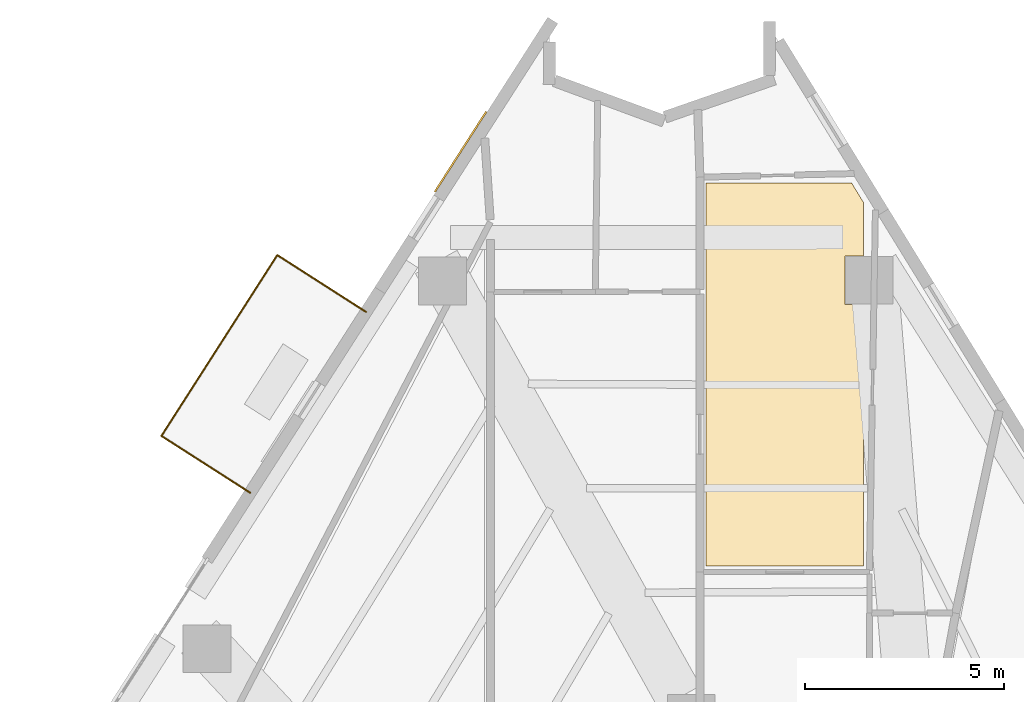
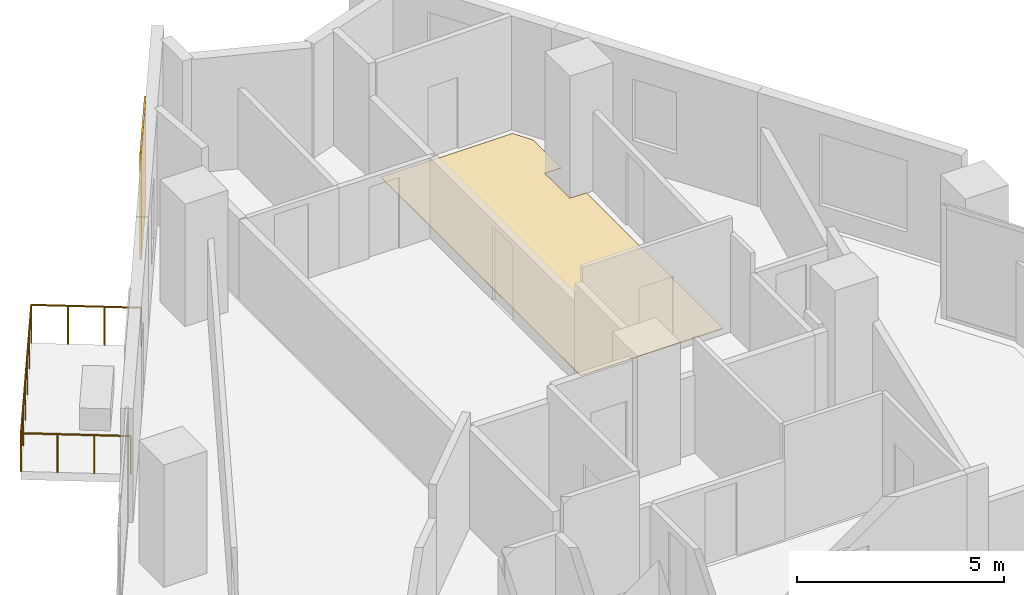
# One storey, part 13 of 13: 2 coverings, 1 railing.
"""IFC4 building model written with IfcOpenShell, lengths in metres."""

from ifc_helpers import new_model, si_unit, direction, frame, origin, origin_2d, place, context, subcontext, project, spatial, polyline, rectangle, circle, outline, extrude, material, layer, layer_set, type_object, element, save


model = new_model("IFC4")

# Units and contexts
model_context = context("Model", 3, precision=1e-05, world=origin(), true_north=direction((0.0, 1.0)))
body_context = subcontext(model_context, "Body", "Model", "MODEL_VIEW")
ifc_project = project(units=[si_unit("LENGTHUNIT", "METRE"), si_unit("AREAUNIT", "SQUARE_METRE"), si_unit("VOLUMEUNIT", "CUBIC_METRE"), si_unit("PLANEANGLEUNIT", "RADIAN"), si_unit("MASSUNIT", "GRAM", prefix="KILO")], contexts=[model_context])

# Site, building, storey
site_placement = place(None, origin())
site = spatial("IfcSite", under=ifc_project, at=site_placement, CompositionType="ELEMENT")
building_placement = place(site_placement, origin())
building = spatial("IfcBuilding", under=site, at=building_placement, Name="Almagre Mirador Tower", CompositionType="ELEMENT")
storey_placement = place(building_placement, frame((0.0, 0.0, 75.0)))
storey = spatial("IfcBuildingStorey", under=building, at=storey_placement, Name="L18", CompositionType="ELEMENT", Elevation=75.0)

# Coverings
ifc_material_1 = material(Name="Almagre terracotta architectural cladding", Category="masonry")
ifc_layer_1 = layer(ifc_material_1, 0.044921875)
ifc_layer_set_1 = layer_set([ifc_layer_1], Name="Almagre terracotta architectural cladding")
covering_type_1 = type_object("IfcCoveringType", Name="COV-CLAD-ALMAGRE", PredefinedType="CLADDING", material=ifc_layer_set_1)
covering_1_placement = place(storey_placement, frame((31.552001953125, 40.440673828125, 0.10009765625), z_axis=(0.0, 0.0, 1.0), x_axis=(0.539461671362, 0.84201015738, 0.0)))
element("IfcCovering", 1, at=covering_1_placement, inside=storey, type_object=covering_type_1, Name="L18 almagre terracotta pier cladding", PredefinedType="CLADDING", context=body_context, shape_type="SweptSolid", body=[
    extrude(rectangle(XDim=2.39990234375, YDim=0.044921875, at=origin_2d()), origin(), (0.0, 0.0, 1.0), 3.14990234375),
])
ifc_material_2 = material(Name="Engineered white oak flooring", Category="wood")
ifc_layer_2 = layer(ifc_material_2, 0.01806640625)
ifc_layer_set_2 = layer_set([ifc_layer_2], Name="Engineered white oak flooring")
covering_type_2 = type_object("IfcCoveringType", Name="COV-FLR-OAK-18", PredefinedType="FLOORING", material=ifc_layer_set_2)
covering_2_placement = place(storey_placement, origin())
element("IfcCovering", 2, at=covering_2_placement, inside=storey, type_object=covering_type_2, Name="L18 Unit L18-H Family Living Salon finish flooring", PredefinedType="FLOORING", context=body_context, shape_type="SweptSolid", body=[
    extrude(outline(polyline([(41.679931640625, 37.81298828125), (41.220947265625, 37.81298828125), (41.220947265625, 36.60302734375), (41.679931640625, 36.60302734375), (41.679931640625, 30.02001953125), (37.719970703125, 30.02001953125), (37.719970703125, 39.64990234375), (41.385986328125, 39.64990234375), (41.679931640625, 39.16796875), (41.679931640625, 37.81298828125)])), origin(), (0.0, 0.0, 1.0), 0.01806640625),
])

# Railing
ifc_material_3 = material(Name="Black anodized aluminium", Category="aluminium")
railing_type = type_object("IfcRailingType", Name="RLG-BAL-1150", PredefinedType="BALUSTRADE", material=ifc_material_3)
railing_placement = place(storey_placement, frame((29.177001953125, 36.4130859375, 0.0)))
element("IfcRailing", 3, at=railing_placement, inside=storey, type_object=railing_type, Name="L18 west balcony balustrade 2", PredefinedType="BALUSTRADE", context=body_context, shape_type="SweptSolid", body=[
    extrude(circle(Radius=0.02392578125, at=origin_2d()), frame((0.0, 0.0, 1.1259765625), z_axis=(-0.842015379792, 0.539453519957, 0.0), x_axis=(-0.539453519957, -0.842015379792, 0.0)), (0.0, 0.0, 1.0), 2.650634765625),
    extrude(circle(Radius=0.02392578125, at=origin_2d()), frame((-2.23193359375, 1.429931640625, 1.1259765625), z_axis=(-0.539438510145, -0.842024995931, 0.0), x_axis=(0.842024995931, -0.539438510145, 0.0)), (0.0, 0.0, 1.0), 5.400146484375),
    extrude(circle(Radius=0.02392578125, at=origin_2d()), frame((-5.14501953125, -3.1171875, 1.1259765625), z_axis=(0.842075537364, -0.539359610439, 0.0), x_axis=(0.539359610439, 0.842075537364, 0.0)), (0.0, 0.0, 1.0), 2.6494140625),
    extrude(circle(Radius=0.02099609375, at=origin_2d()), origin(), (0.0, 0.0, 1.0), 1.101806640625),
    extrude(circle(Radius=0.02099609375, at=origin_2d()), frame((-0.743896484375, 0.4765625, 0.0)), (0.0, 0.0, 1.0), 1.101806640625),
    extrude(circle(Radius=0.02099609375, at=origin_2d()), frame((-1.488037109375, 0.953369140625, 0.0)), (0.0, 0.0, 1.0), 1.101806640625),
    extrude(circle(Radius=0.02099609375, at=origin_2d()), frame((-2.23193359375, 1.429931640625, 0.0)), (0.0, 0.0, 1.0), 1.101806640625),
    extrude(circle(Radius=0.02099609375, at=origin_2d()), frame((-2.814453125, 0.5205078125, 0.0)), (0.0, 0.0, 1.0), 1.101806640625),
    extrude(circle(Radius=0.02099609375, at=origin_2d()), frame((-3.397216796875, -0.388916015625, 0.0)), (0.0, 0.0, 1.0), 1.101806640625),
    extrude(circle(Radius=0.02099609375, at=origin_2d()), frame((-3.979736328125, -1.29833984375, 0.0)), (0.0, 0.0, 1.0), 1.101806640625),
    extrude(circle(Radius=0.02099609375, at=origin_2d()), frame((-4.5625, -2.207763671875, 0.0)), (0.0, 0.0, 1.0), 1.101806640625),
    extrude(circle(Radius=0.02099609375, at=origin_2d()), frame((-5.14501953125, -3.1171875, 0.0)), (0.0, 0.0, 1.0), 1.101806640625),
    extrude(circle(Radius=0.02099609375, at=origin_2d()), frame((-4.4013671875, -3.593505859375, 0.0)), (0.0, 0.0, 1.0), 1.101806640625),
    extrude(circle(Radius=0.02099609375, at=origin_2d()), frame((-3.65771484375, -4.06982421875, 0.0)), (0.0, 0.0, 1.0), 1.101806640625),
    extrude(circle(Radius=0.02099609375, at=origin_2d()), frame((-2.9140625, -4.546142578125, 0.0)), (0.0, 0.0, 1.0), 1.101806640625),
])

save(model, "model.ifc")
